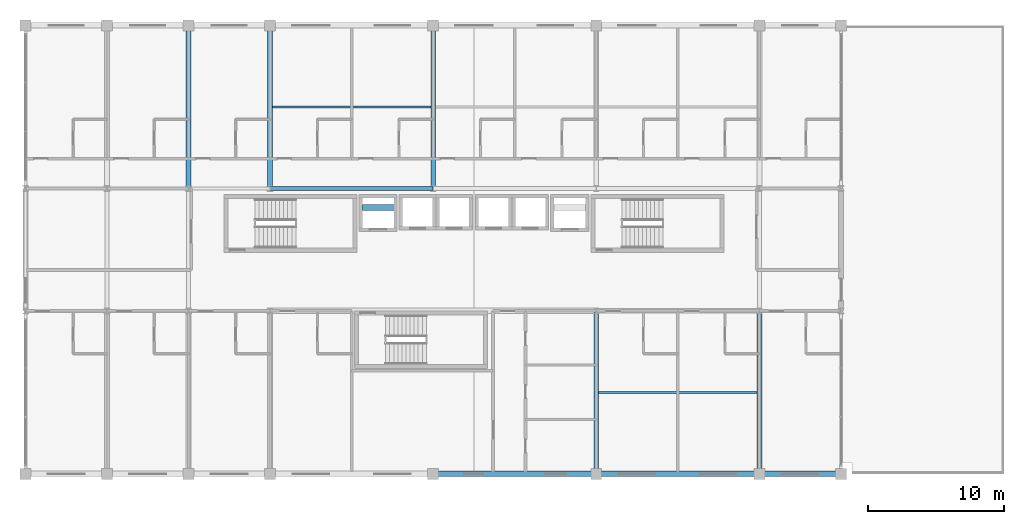
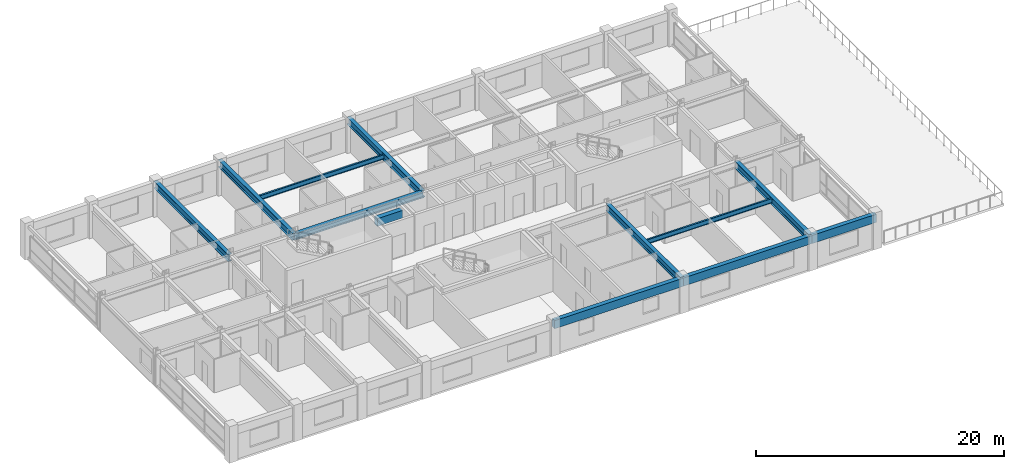
# One storey, part 9 of 27: 12 beams.
"""IFC4 building model written with IfcOpenShell, lengths in metres."""

import ifcopenshell
import ifcopenshell.guid

model = None  # the IFC model being written
_history = None  # IfcOwnerHistory: only IFC2X3 demands one
_inside = {}  # id of a spatial element -> (the spatial element, [elements in it])
_under = {}  # id of a project, library or spatial element -> (it, [spatial elements below it])
_declared = {}  # id of a project -> (the project, [libraries it declares])
_typed = {}  # id of a type object -> (the type object, [elements of that type])
_made_of = {}  # id of a material, layer set ... -> (it, [elements and type objects made of it])


def new_model(schema):
    """Start an empty IFC model of exactly this schema.

    Asked for "IFC4X3", IfcOpenShell would pick the latest addendum, in which some entities
    have other attributes; the version numbers below select the first issue.
    IFC2X3 requires an IfcOwnerHistory on every rooted entity: one is made here for all.
    """
    global model, _history
    if schema == "IFC4X3":
        model = ifcopenshell.file(schema_version=(4, 3, 0, 0))
    else:
        model = ifcopenshell.file(schema=schema)
    _inside.clear()
    _under.clear()
    _declared.clear()
    _typed.clear()
    _made_of.clear()
    _history = None
    if model.schema == "IFC2X3":
        org = make("IfcOrganization", Name="unknown")
        user = make(
            "IfcPersonAndOrganization",
            ThePerson=make("IfcPerson", FamilyName="unknown"),
            TheOrganization=org,
        )
        app = make(
            "IfcApplication",
            ApplicationDeveloper=org,
            Version="unknown",
            ApplicationFullName="unknown",
            ApplicationIdentifier="unknown",
        )
        _history = make(
            "IfcOwnerHistory",
            OwningUser=user,
            OwningApplication=app,
            ChangeAction="ADDED",
            CreationDate=0,
        )
    return model


def make(cls, **values):
    """One entity of the class cls with the attributes given. An attribute that is None is left unset."""
    return model.create_entity(
        cls, **{name: value for name, value in values.items() if value is not None}
    )


def rooted(cls, **values):
    """An entity with a GlobalId (a new one), such as an element, a storey or a relation."""
    return make(cls, GlobalId=ifcopenshell.guid.new(), OwnerHistory=_history, **values)


def si_unit(unit_type, name, prefix=None):
    """IfcSIUnit, for example si_unit("LENGTHUNIT", "METRE", prefix="MILLI")."""
    return make("IfcSIUnit", UnitType=unit_type, Prefix=prefix, Name=name)


def assignment(units):
    """IfcUnitAssignment: the units of a project."""
    return None if units is None else make("IfcUnitAssignment", Units=units)


def point(xyz):
    """IfcCartesianPoint."""
    return None if xyz is None else make("IfcCartesianPoint", Coordinates=xyz)


def direction(xyz):
    """IfcDirection."""
    return None if xyz is None else make("IfcDirection", DirectionRatios=xyz)


def frame(location, z_axis=None, x_axis=None):
    """IfcAxis2Placement3D, a coordinate frame: its origin and axes. An axis left out is left unset."""
    return make(
        "IfcAxis2Placement3D",
        Location=point(location),
        Axis=direction(z_axis),
        RefDirection=direction(x_axis),
    )


def frame_2d(location, x_axis=None):
    """IfcAxis2Placement2D, a coordinate frame in the plane: its origin and x axis."""
    return make(
        "IfcAxis2Placement2D", Location=point(location), RefDirection=direction(x_axis)
    )


def origin():
    """The frame at (0, 0, 0) with its axes left unset."""
    return frame((0.0, 0.0, 0.0))


def origin_2d():
    """The frame at (0, 0) in the plane with its x axis left unset."""
    return frame_2d((0.0, 0.0))


def place(relative_to, where):
    """IfcLocalPlacement: puts the frame where relative to a parent placement (None: the world)."""
    return make(
        "IfcLocalPlacement", PlacementRelTo=relative_to, RelativePlacement=where
    )


def context(
    kind, dimensions, precision=None, world=None, true_north=None, identifier=None
):
    """IfcGeometricRepresentationContext, for example the 3D "Model" context."""
    return make(
        "IfcGeometricRepresentationContext",
        ContextIdentifier=identifier,
        ContextType=kind,
        CoordinateSpaceDimension=dimensions,
        Precision=precision,
        WorldCoordinateSystem=world,
        TrueNorth=true_north,
    )


def subcontext(parent, identifier, kind, view, scale=None):
    """IfcGeometricRepresentationSubContext, for example "Body" below "Model"."""
    return make(
        "IfcGeometricRepresentationSubContext",
        ContextIdentifier=identifier,
        ContextType=kind,
        ParentContext=parent,
        TargetScale=scale,
        TargetView=view,
    )


def project(units=None, contexts=None):
    """IfcProject with its units and contexts."""
    return rooted(
        "IfcProject",
        Name="project",
        RepresentationContexts=contexts,
        UnitsInContext=assignment(units),
    )


def spatial(cls, under=None, at=None, **own):
    """A site, building, storey or space (cls), placed at a placement, below another one or the project."""
    s = rooted(cls, ObjectPlacement=at, **own)
    if under is not None:
        _under.setdefault(under.id(), (under, []))[1].append(s)
    return s


def profile(cls, at=None, kind="AREA", **sizes):
    """A parametric profile (cls). Its sizes go by their IFC names, for example OverallWidth=200.0."""
    return make(cls, ProfileType=kind, Position=at, **sizes)


def rectangle(**sizes):
    """IfcRectangleProfileDef."""
    return profile("IfcRectangleProfileDef", **sizes)


def i_section(**sizes):
    """IfcIShapeProfileDef."""
    return profile("IfcIShapeProfileDef", **sizes)


def extrude(swept, where, along, depth):
    """IfcExtrudedAreaSolid: the profile swept, set in the frame where, extruded along a direction by depth."""
    return make(
        "IfcExtrudedAreaSolid",
        SweptArea=swept,
        Position=where,
        ExtrudedDirection=direction(along),
        Depth=depth,
    )


def shape(context_of_items, identifier, shape_type, items):
    """IfcShapeRepresentation: the items that make up one representation, for example the "Body"."""
    return make(
        "IfcShapeRepresentation",
        ContextOfItems=context_of_items,
        RepresentationIdentifier=identifier,
        RepresentationType=shape_type,
        Items=items,
    )


def material(Name=None, Category=None):
    """IfcMaterial."""
    return make("IfcMaterial", Name=Name, Category=Category)


def material_profile(
    of_material, cross_section, Name=None, Category=None, Priority=None
):
    """IfcMaterialProfile: a cross section and its material."""
    return make(
        "IfcMaterialProfile",
        Name=Name,
        Material=of_material,
        Profile=cross_section,
        Priority=Priority,
        Category=Category,
    )


def profile_set(profiles, Name=None, composite=None):
    """IfcMaterialProfileSet."""
    return make(
        "IfcMaterialProfileSet",
        Name=Name,
        MaterialProfiles=profiles,
        CompositeProfile=composite,
    )


def made_of(thing, what):
    """Note that an element or type object is made of a material, layer set ...; save() writes the relation."""
    if what is not None:
        _made_of.setdefault(what.id(), (what, []))[1].append(thing)
    return thing


def type_object(cls, material=None, **own):
    """A type object (cls), such as IfcWallType, which elements share."""
    return made_of(rooted(cls, **own), material)


def element(
    cls,
    number,
    at=None,
    inside=None,
    cuts=None,
    type_object=None,
    material=None,
    context=None,
    identifier="Body",
    shape_type=None,
    held_by="IfcProductDefinitionShape",
    body=None,
    shapes=None,
    **own,
):
    """One element of the class cls, such as IfcWall. Its Tag is "e" and its number.

    at: its placement. inside: the storey or other place that contains it. cuts: it is an
    opening in that element (IfcRelVoidsElement). A single representation is given by context,
    identifier, shape_type and body (its items); several are given by shapes. held_by: the class
    of the entity that holds the representations. save() writes the other relations.
    """
    e = rooted(cls, Tag="e%d" % number, ObjectPlacement=at, **own)
    if body is not None:
        shapes = [shape(context, identifier, shape_type, body)]
    if shapes is not None:
        e.Representation = make(held_by, Representations=shapes)
    if inside is not None:
        _inside.setdefault(inside.id(), (inside, []))[1].append(e)
    if cuts is not None:
        rooted(
            "IfcRelVoidsElement", RelatingBuildingElement=cuts, RelatedOpeningElement=e
        )
    if type_object is not None:
        _typed.setdefault(type_object.id(), (type_object, []))[1].append(e)
    return made_of(e, material)


def aggregate(whole, parts):
    """IfcRelAggregates: a whole, such as a stair, and the parts it consists of."""
    return rooted("IfcRelAggregates", RelatingObject=whole, RelatedObjects=parts)


def save(model, path):
    """Write the relations noted so far, then the file.

    IfcRelAggregates (storeys below a building ...), IfcRelContainedInSpatialStructure (elements
    in a storey), IfcRelDefinesByType, IfcRelAssociatesMaterial and IfcRelDeclares: one each for
    every whole, place, type object, material and project.
    """
    for whole, parts in _under.values():
        aggregate(whole, parts)
    for where, things in _inside.values():
        rooted(
            "IfcRelContainedInSpatialStructure",
            RelatedElements=things,
            RelatingStructure=where,
        )
    for kind, things in _typed.values():
        rooted("IfcRelDefinesByType", RelatedObjects=things, RelatingType=kind)
    for what, things in _made_of.values():
        rooted("IfcRelAssociatesMaterial", RelatedObjects=things, RelatingMaterial=what)
    for by, libraries in _declared.values():
        rooted("IfcRelDeclares", RelatingContext=by, RelatedDefinitions=libraries)
    model.write(path)


model = new_model("IFC4")

# Units and contexts
model_context = context("Model", 3, precision=1e-05, world=origin(), true_north=direction((0.0, 1.0)))
body_context = subcontext(model_context, "Body", "Model", "MODEL_VIEW")
ifc_project = project(units=[si_unit("LENGTHUNIT", "METRE"), si_unit("AREAUNIT", "SQUARE_METRE"), si_unit("VOLUMEUNIT", "CUBIC_METRE"), si_unit("PLANEANGLEUNIT", "RADIAN"), si_unit("MASSUNIT", "GRAM", prefix="KILO")], contexts=[model_context])

# Site, building, storey
site_placement = place(None, origin())
site = spatial("IfcSite", under=ifc_project, at=site_placement, CompositionType="ELEMENT")
building_placement = place(site_placement, origin())
building = spatial("IfcBuilding", under=site, at=building_placement, Name="Kaldorvane Square Convention Centre", CompositionType="ELEMENT")
storey_placement = place(building_placement, frame((0.0, 0.0, 38.399993896484375)))
storey = spatial("IfcBuildingStorey", under=building, at=storey_placement, Name="L08", CompositionType="ELEMENT", Elevation=38.399993896484375)

# Beams
ifc_material_1 = material(Name="Steel ASTM A992 Gr. 50", Category="steel")
ifc_material_profile_1 = material_profile(ifc_material_1, i_section(OverallWidth=0.326507568359375, OverallDepth=0.621795654296875, WebThickness=0.0153961181640625, FlangeThickness=0.0243988037109375, FilletRadius=0.0126953125, at=origin_2d()), Name="W24X131")
ifc_profile_set_1 = profile_set([ifc_material_profile_1], Name="Steel ASTM A992 Gr. 50")
beam_type_1 = type_object("IfcBeamType", Name="BM-GR-W24X131", PredefinedType="BEAM", material=ifc_profile_set_1)
beam_1_placement = place(storey_placement, frame((42.0, 105.0, 2.9751129150390625), z_axis=(1.0, 0.0, 0.0), x_axis=(0.0, 1.0, 0.0)))
element("IfcBeam", 1, at=beam_1_placement, inside=storey, type_object=beam_type_1, Name="Primary Girder (L08)", PredefinedType="BEAM", context=body_context, shape_type="SweptSolid", body=[
    extrude(i_section(OverallWidth=0.326507568359375, OverallDepth=0.621795654296875, WebThickness=0.0153961181640625, FlangeThickness=0.0243988037109375, FilletRadius=0.0126953125, at=origin_2d()), origin(), (0.0, 0.0, 1.0), 12.0),
])
ifc_material_profile_2 = material_profile(ifc_material_1, i_section(OverallWidth=0.354705810546875, OverallDepth=0.69549560546875, WebThickness=0.0153961181640625, FlangeThickness=0.0251007080078125, FilletRadius=0.01519775390625, at=origin_2d()), Name="W27X146")
ifc_profile_set_2 = profile_set([ifc_material_profile_2], Name="Steel ASTM A992 Gr. 50")
beam_type_2 = type_object("IfcBeamType", Name="BM-GR-W27X146", PredefinedType="BEAM", material=ifc_profile_set_2)
for number, where, z_axis, x_axis, name in (
    (2, (36.0, 105.0, 2.9383087158203125), (0.0, 1.0, 0.0), (-1.0, 0.0, 0.0), "Transverse Girder (L08)"),
    (3, (42.0, 105.0, 2.9383087158203125), (0.0, 1.0, 0.0), (-1.0, 0.0, 0.0), "Transverse Girder (L08)"),
    (4, (54.0, 105.0, 2.9383087158203125), (0.0, 1.0, 0.0), (-1.0, 0.0, 0.0), "Transverse Girder (L08)"),
    (5, (66.0, 84.0, 2.9383087158203125), (0.0, 1.0, 0.0), (-1.0, 0.0, 0.0), "Transverse Girder (L08)"),
    (6, (78.0, 84.0, 2.9383087158203125), (0.0, 1.0, 0.0), (-1.0, 0.0, 0.0), "Transverse Girder (L08)"),
):
    element("IfcBeam", number, at=place(storey_placement, frame(where, z_axis=z_axis, x_axis=x_axis)), inside=storey, type_object=beam_type_2, Name=name, PredefinedType="BEAM", context=body_context, shape_type="SweptSolid", body=[
        extrude(i_section(OverallWidth=0.354705810546875, OverallDepth=0.69549560546875, WebThickness=0.0153961181640625, FlangeThickness=0.0251007080078125, FilletRadius=0.01519775390625, at=origin_2d()), origin(), (0.0, 0.0, 1.0), 12.0),
    ])
ifc_material_profile_3 = material_profile(ifc_material_1, i_section(OverallWidth=0.152801513671875, OverallDepth=0.4546966552734375, WebThickness=0.00799560546875, FlangeThickness=0.0133056640625, FilletRadius=0.01019287109375, at=origin_2d()), Name="W18X40")
ifc_profile_set_3 = profile_set([ifc_material_profile_3], Name="Steel ASTM A992 Gr. 50")
beam_type_3 = type_object("IfcBeamType", Name="BM-JS-W18X40", PredefinedType="JOIST", material=ifc_profile_set_3)
beam_2_placement = place(storey_placement, frame((66.17739868164062, 90.0, 3.0586090087890625), z_axis=(1.0, 0.0, 0.0), x_axis=(0.0, 1.0, 0.0)))
element("IfcBeam", 7, at=beam_2_placement, inside=storey, type_object=beam_type_3, Name="Secondary Floor Joist (L08)", PredefinedType="JOIST", context=body_context, shape_type="SweptSolid", body=[
    extrude(i_section(OverallWidth=0.152801513671875, OverallDepth=0.4546966552734375, WebThickness=0.00799560546875, FlangeThickness=0.0133056640625, FilletRadius=0.01019287109375, at=origin_2d()), origin(), (0.0, 0.0, 1.0), 11.64520263671875),
])
beam_3_placement = place(storey_placement, frame((42.17730712890625, 111.0, 3.0586090087890625), z_axis=(1.0, 0.0, 0.0), x_axis=(0.0, 1.0, 0.0)))
element("IfcBeam", 8, at=beam_3_placement, inside=storey, type_object=beam_type_3, Name="Secondary Floor Joist (L08)", PredefinedType="JOIST", context=body_context, shape_type="SweptSolid", body=[
    extrude(i_section(OverallWidth=0.152801513671875, OverallDepth=0.4546966552734375, WebThickness=0.00799560546875, FlangeThickness=0.0133056640625, FilletRadius=0.01019287109375, at=origin_2d()), origin(), (0.0, 0.0, 1.0), 11.6453857421875),
])
ifc_material_2 = material(Name="Concrete f'c = 42 MPa (Normalweight)", Category="concrete")
ifc_material_profile_4 = material_profile(ifc_material_2, rectangle(XDim=0.4499969482421875, YDim=0.75, at=origin_2d()), Name="RCLN750X450")
ifc_profile_set_4 = profile_set([ifc_material_profile_4], Name="Concrete f'c = 42 MPa (Normalweight)")
beam_type_4 = type_object("IfcBeamType", Name="BM-LN-RC750", PredefinedType="LINTEL", material=ifc_profile_set_4)
beam_4_placement = place(storey_placement, frame((48.80000305175781, 103.60000610351562, 2.9130096435546875), z_axis=(1.0, 0.0, 0.0), x_axis=(0.0, 1.0, 0.0)))
element("IfcBeam", 9, at=beam_4_placement, inside=storey, type_object=beam_type_4, Name="Core Coupling Lintel W (L08)", PredefinedType="LINTEL", context=body_context, shape_type="SweptSolid", body=[
    extrude(rectangle(XDim=0.4499969482421875, YDim=0.75, at=origin_2d()), origin(), (0.0, 0.0, 1.0), 2.399993896484375),
])
ifc_material_profile_5 = material_profile(ifc_material_2, rectangle(XDim=0.399993896484375, YDim=0.8000030517578125, at=origin_2d()), Name="RCSP800X400")
ifc_profile_set_5 = profile_set([ifc_material_profile_5], Name="Concrete f'c = 42 MPa (Normalweight)")
beam_type_5 = type_object("IfcBeamType", Name="BM-SP-RC800", PredefinedType="SPANDREL", material=ifc_profile_set_5)
for number, where, z_axis, x_axis, name in (
    (10, (54.0, 84.0, 2.8860015869140625), (1.0, 0.0, 0.0), (0.0, 1.0, 0.0), "Perimeter Spandrel (L08)"),
    (11, (66.0, 84.0, 2.8860015869140625), (1.0, 0.0, 0.0), (0.0, 1.0, 0.0), "Perimeter Spandrel (L08)"),
):
    element("IfcBeam", number, at=place(storey_placement, frame(where, z_axis=z_axis, x_axis=x_axis)), inside=storey, type_object=beam_type_5, Name=name, PredefinedType="SPANDREL", context=body_context, shape_type="SweptSolid", body=[
        extrude(rectangle(XDim=0.399993896484375, YDim=0.8000030517578125, at=origin_2d()), origin(), (0.0, 0.0, 1.0), 12.0),
    ])
beam_5_placement = place(storey_placement, frame((78.0, 84.0, 2.8860015869140625), z_axis=(1.0, 0.0, 0.0), x_axis=(0.0, 1.0, 0.0)))
element("IfcBeam", 12, at=beam_5_placement, inside=storey, type_object=beam_type_5, Name="Perimeter Spandrel (L08)", PredefinedType="SPANDREL", context=body_context, shape_type="SweptSolid", body=[
    extrude(rectangle(XDim=0.399993896484375, YDim=0.8000030517578125, at=origin_2d()), origin(), (0.0, 0.0, 1.0), 6.0),
])

save(model, "model.ifc")
